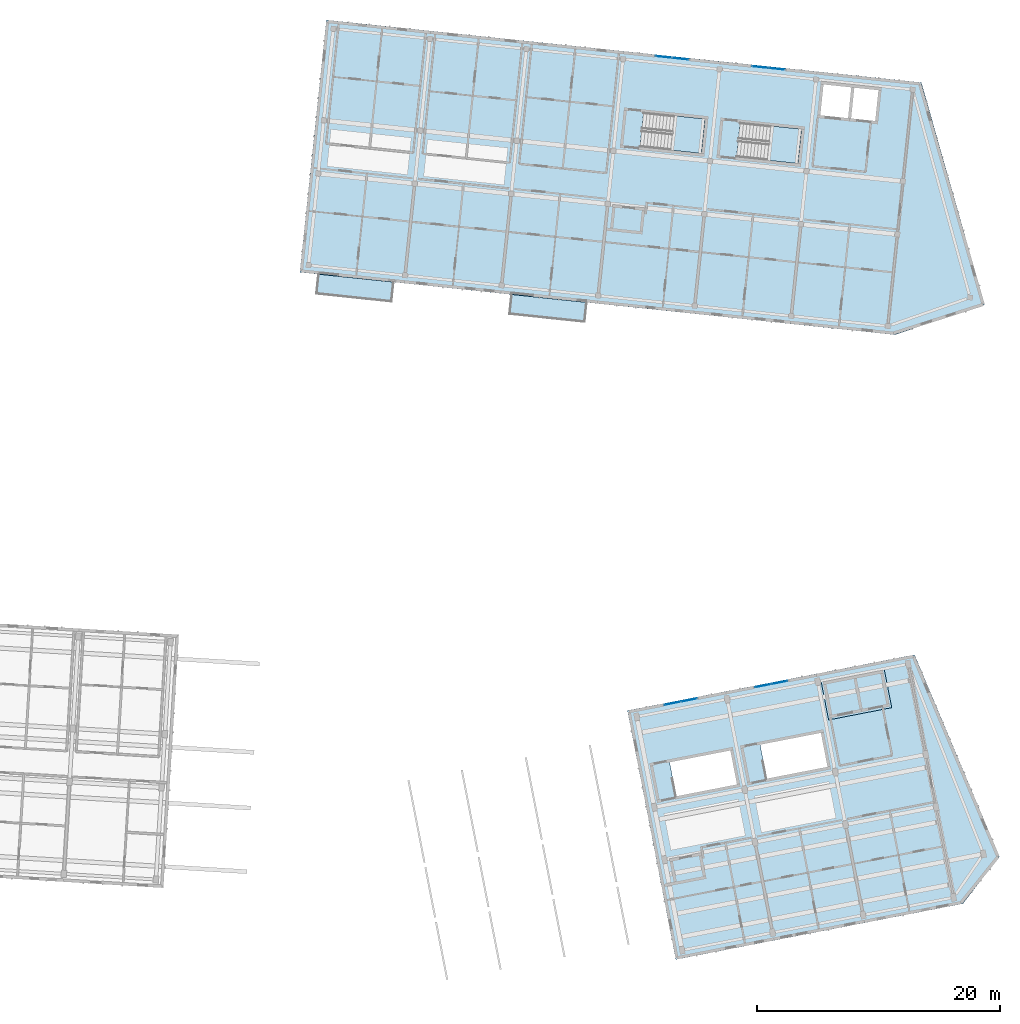
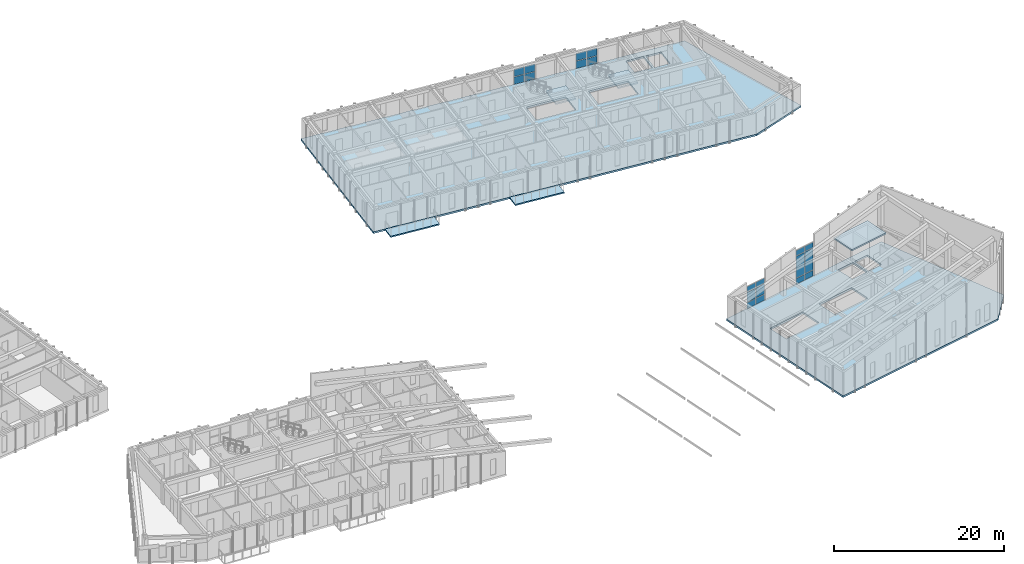
# One storey, part 18 of 56: 20 plates, 7 slabs, 6 elements without a shape of their own.
"""IFC4 building model written with IfcOpenShell, lengths in metres."""

from ifc_helpers import new_model, si_unit, direction, frame, origin, origin_2d, place, context, subcontext, project, spatial, polyline, rectangle, outline, extrude, material, layer, layer_set, type_object, element, aggregate, save


model = new_model("IFC4")

# Units and contexts
model_context = context("Model", 3, precision=1e-05, world=origin(), true_north=direction((0.0, 1.0)))
body_context = subcontext(model_context, "Body", "Model", "MODEL_VIEW")
ifc_project = project(units=[si_unit("LENGTHUNIT", "METRE"), si_unit("AREAUNIT", "SQUARE_METRE"), si_unit("VOLUMEUNIT", "CUBIC_METRE"), si_unit("PLANEANGLEUNIT", "RADIAN"), si_unit("MASSUNIT", "GRAM", prefix="KILO")], contexts=[model_context])

# Site, building, storey
site_placement = place(None, origin())
site = spatial("IfcSite", under=ifc_project, at=site_placement, CompositionType="ELEMENT")
building_placement = place(site_placement, origin())
building = spatial("IfcBuilding", under=site, at=building_placement, Name="Kestramere Prow Commons", CompositionType="ELEMENT")
storey_placement = place(building_placement, frame((0.0, 0.0, 27.89990234375)))
storey = spatial("IfcBuildingStorey", under=building, at=storey_placement, Name="L08", CompositionType="ELEMENT", Elevation=27.89990234375)

# Curtain wall, plates
ifc_material_1 = material(Name="Anodised Aluminium and Low-E Glass", Category="aluminium")
curtain_wall_type_1 = type_object("IfcCurtainWallType", Name="CW-03 Glazed Curtain Wall 2830x2320", PredefinedType="USERDEFINED", material=ifc_material_1)
curtain_wall_1_placement = place(storey_placement, origin())
curtain_wall_1 = element("IfcCurtainWall", 1, at=curtain_wall_1_placement, inside=storey, type_object=curtain_wall_type_1, Name="Block B L08 Stairwell Vertical Glazing 4", ObjectType="GLAZED CURTAIN WALL", PredefinedType="USERDEFINED")
ifc_material_2 = material(Name="Low-E Laminated Double Glazing", Category="glass")
ifc_layer_1 = layer(ifc_material_2, 0.028076171875)
ifc_layer_set_1 = layer_set([ifc_layer_1], Name="Low-E Laminated Double Glazing")
plate_type = type_object("IfcPlateType", Name="CW-PNL-28", PredefinedType="CURTAIN_PANEL", material=ifc_layer_set_1)
plate_1_placement = place(storey_placement, frame((139.2626953125, 111.960205078125, 0.065185546875), z_axis=(0.0, 0.0, 1.0), x_axis=(0.994521879016, -0.104528618845, 0.0)))
plate_1 = element("IfcPlate", 2, at=plate_1_placement, type_object=plate_type, Name="CW-03 panel 1.1", PredefinedType="CURTAIN_PANEL", context=body_context, shape_type="SweptSolid", body=[
    extrude(rectangle(XDim=1.3173828125, YDim=0.028076171875, at=origin_2d()), origin(), (0.0, 0.0, 1.0), 1.0625),
])
plate_2_placement = place(storey_placement, frame((139.2626953125, 111.960205078125, 1.192626953125), z_axis=(0.0, 0.0, 1.0), x_axis=(0.994521879016, -0.104528618845, 0.0)))
plate_2 = element("IfcPlate", 3, at=plate_2_placement, type_object=plate_type, Name="CW-03 panel 1.2", PredefinedType="CURTAIN_PANEL", context=body_context, shape_type="SweptSolid", body=[
    extrude(rectangle(XDim=1.3173828125, YDim=0.028076171875, at=origin_2d()), origin(), (0.0, 0.0, 1.0), 1.0625),
])
plate_3_placement = place(storey_placement, frame((140.6376953125, 111.815673828125, 0.065185546875), z_axis=(0.0, 0.0, 1.0), x_axis=(0.994521879016, -0.104528618845, 0.0)))
plate_3 = element("IfcPlate", 4, at=plate_3_placement, type_object=plate_type, Name="CW-03 panel 2.1", PredefinedType="CURTAIN_PANEL", context=body_context, shape_type="SweptSolid", body=[
    extrude(rectangle(XDim=1.3173828125, YDim=0.028076171875, at=origin_2d()), origin(), (0.0, 0.0, 1.0), 1.0625),
])
plate_4_placement = place(storey_placement, frame((140.6376953125, 111.815673828125, 1.192626953125), z_axis=(0.0, 0.0, 1.0), x_axis=(0.994521879016, -0.104528618845, 0.0)))
plate_4 = element("IfcPlate", 5, at=plate_4_placement, type_object=plate_type, Name="CW-03 panel 2.2", PredefinedType="CURTAIN_PANEL", context=body_context, shape_type="SweptSolid", body=[
    extrude(rectangle(XDim=1.3173828125, YDim=0.028076171875, at=origin_2d()), origin(), (0.0, 0.0, 1.0), 1.0625),
])
aggregate(curtain_wall_1, [plate_1, plate_2, plate_3, plate_4])

curtain_wall_2_placement = place(storey_placement, origin())
curtain_wall_2 = element("IfcCurtainWall", 6, at=curtain_wall_2_placement, inside=storey, type_object=curtain_wall_type_1, Name="Block B L08 Stairwell Vertical Glazing 5", ObjectType="GLAZED CURTAIN WALL", PredefinedType="USERDEFINED")
plate_5_placement = place(storey_placement, frame((147.218994140625, 111.1240234375, 0.065185546875), z_axis=(0.0, 0.0, 1.0), x_axis=(0.99452191575, -0.104528269348, 0.0)))
plate_5 = element("IfcPlate", 7, at=plate_5_placement, type_object=plate_type, Name="CW-03 panel 1.1", PredefinedType="CURTAIN_PANEL", context=body_context, shape_type="SweptSolid", body=[
    extrude(rectangle(XDim=1.3173828125, YDim=0.028076171875, at=origin_2d()), origin(), (0.0, 0.0, 1.0), 1.0625),
])
plate_6_placement = place(storey_placement, frame((147.218994140625, 111.1240234375, 1.192626953125), z_axis=(0.0, 0.0, 1.0), x_axis=(0.99452191575, -0.104528269348, 0.0)))
plate_6 = element("IfcPlate", 8, at=plate_6_placement, type_object=plate_type, Name="CW-03 panel 1.2", PredefinedType="CURTAIN_PANEL", context=body_context, shape_type="SweptSolid", body=[
    extrude(rectangle(XDim=1.3173828125, YDim=0.028076171875, at=origin_2d()), origin(), (0.0, 0.0, 1.0), 1.0625),
])
plate_7_placement = place(storey_placement, frame((148.593994140625, 110.9794921875, 0.065185546875), z_axis=(0.0, 0.0, 1.0), x_axis=(0.99452191575, -0.104528269348, 0.0)))
plate_7 = element("IfcPlate", 9, at=plate_7_placement, type_object=plate_type, Name="CW-03 panel 2.1", PredefinedType="CURTAIN_PANEL", context=body_context, shape_type="SweptSolid", body=[
    extrude(rectangle(XDim=1.3173828125, YDim=0.028076171875, at=origin_2d()), origin(), (0.0, 0.0, 1.0), 1.0625),
])
plate_8_placement = place(storey_placement, frame((148.593994140625, 110.9794921875, 1.192626953125), z_axis=(0.0, 0.0, 1.0), x_axis=(0.99452191575, -0.104528269348, 0.0)))
plate_8 = element("IfcPlate", 10, at=plate_8_placement, type_object=plate_type, Name="CW-03 panel 2.2", PredefinedType="CURTAIN_PANEL", context=body_context, shape_type="SweptSolid", body=[
    extrude(rectangle(XDim=1.3173828125, YDim=0.028076171875, at=origin_2d()), origin(), (0.0, 0.0, 1.0), 1.0625),
])
aggregate(curtain_wall_2, [plate_5, plate_6, plate_7, plate_8])

curtain_wall_type_2 = type_object("IfcCurtainWallType", Name="CW-09 Glazed Curtain Wall 2830x3300", PredefinedType="USERDEFINED", material=ifc_material_1)
curtain_wall_3_placement = place(storey_placement, origin())
curtain_wall_3 = element("IfcCurtainWall", 11, at=curtain_wall_3_placement, inside=storey, type_object=curtain_wall_type_2, Name="Block D L08 Stairwell Vertical Glazing 4", ObjectType="GLAZED CURTAIN WALL", PredefinedType="USERDEFINED")
plate_9_placement = place(storey_placement, frame((139.99267578125, 58.698974609375, 0.065185546875), z_axis=(0.0, 0.0, 1.0), x_axis=(0.981627214599, 0.190808835118, 0.0)))
plate_9 = element("IfcPlate", 12, at=plate_9_placement, type_object=plate_type, Name="CW-09 panel 1.1", PredefinedType="CURTAIN_PANEL", context=body_context, shape_type="SweptSolid", body=[
    extrude(rectangle(XDim=1.3173828125, YDim=0.028076171875, at=origin_2d()), origin(), (0.0, 0.0, 1.0), 0.8525390625),
])
plate_10_placement = place(storey_placement, frame((139.99267578125, 58.698974609375, 0.982666015625), z_axis=(0.0, 0.0, 1.0), x_axis=(0.981627214599, 0.190808835118, 0.0)))
plate_10 = element("IfcPlate", 13, at=plate_10_placement, type_object=plate_type, Name="CW-09 panel 1.2", PredefinedType="CURTAIN_PANEL", context=body_context, shape_type="SweptSolid", body=[
    extrude(rectangle(XDim=1.3173828125, YDim=0.028076171875, at=origin_2d()), origin(), (0.0, 0.0, 1.0), 1.43994140625),
])
plate_11_placement = place(storey_placement, frame((139.99267578125, 58.698974609375, 2.487548828125), z_axis=(0.0, 0.0, 1.0), x_axis=(0.981627214599, 0.190808835118, 0.0)))
plate_11 = element("IfcPlate", 14, at=plate_11_placement, type_object=plate_type, Name="CW-09 panel 1.3", PredefinedType="CURTAIN_PANEL", context=body_context, shape_type="SweptSolid", body=[
    extrude(rectangle(XDim=1.3173828125, YDim=0.028076171875, at=origin_2d()), origin(), (0.0, 0.0, 1.0), 0.75244140625),
])
plate_12_placement = place(storey_placement, frame((141.349853515625, 58.962646484375, 0.065185546875), z_axis=(0.0, 0.0, 1.0), x_axis=(0.981627214599, 0.190808835118, 0.0)))
plate_12 = element("IfcPlate", 15, at=plate_12_placement, type_object=plate_type, Name="CW-09 panel 2.1", PredefinedType="CURTAIN_PANEL", context=body_context, shape_type="SweptSolid", body=[
    extrude(rectangle(XDim=1.3173828125, YDim=0.028076171875, at=origin_2d()), origin(), (0.0, 0.0, 1.0), 0.8525390625),
])
plate_13_placement = place(storey_placement, frame((141.349853515625, 58.962646484375, 0.982666015625), z_axis=(0.0, 0.0, 1.0), x_axis=(0.981627214599, 0.190808835118, 0.0)))
plate_13 = element("IfcPlate", 16, at=plate_13_placement, type_object=plate_type, Name="CW-09 panel 2.2", PredefinedType="CURTAIN_PANEL", context=body_context, shape_type="SweptSolid", body=[
    extrude(rectangle(XDim=1.3173828125, YDim=0.028076171875, at=origin_2d()), origin(), (0.0, 0.0, 1.0), 1.43994140625),
])
plate_14_placement = place(storey_placement, frame((141.349853515625, 58.962646484375, 2.487548828125), z_axis=(0.0, 0.0, 1.0), x_axis=(0.981627214599, 0.190808835118, 0.0)))
plate_14 = element("IfcPlate", 17, at=plate_14_placement, type_object=plate_type, Name="CW-09 panel 2.3", PredefinedType="CURTAIN_PANEL", context=body_context, shape_type="SweptSolid", body=[
    extrude(rectangle(XDim=1.3173828125, YDim=0.028076171875, at=origin_2d()), origin(), (0.0, 0.0, 1.0), 0.75244140625),
])
aggregate(curtain_wall_3, [plate_9, plate_10, plate_11, plate_12, plate_13, plate_14])

curtain_wall_type_3 = type_object("IfcCurtainWallType", Name="CW-10 Glazed Curtain Wall 2830x4990", PredefinedType="USERDEFINED", material=ifc_material_1)
curtain_wall_4_placement = place(storey_placement, origin())
curtain_wall_4 = element("IfcCurtainWall", 18, at=curtain_wall_4_placement, inside=storey, type_object=curtain_wall_type_3, Name="Block D L08 Stairwell Vertical Glazing 5", ObjectType="GLAZED CURTAIN WALL", PredefinedType="USERDEFINED")
plate_15_placement = place(storey_placement, frame((147.45556640625, 60.1494140625, 0.0751953125), z_axis=(0.0, 0.0, 1.0), x_axis=(0.981627214599, 0.190808835118, 0.0)))
plate_15 = element("IfcPlate", 19, at=plate_15_placement, type_object=plate_type, Name="CW-10 panel 1.1", PredefinedType="CURTAIN_PANEL", context=body_context, shape_type="SweptSolid", body=[
    extrude(rectangle(XDim=1.302490234375, YDim=0.028076171875, at=origin_2d()), origin(), (0.0, 0.0, 1.0), 0.83740234375),
])
plate_16_placement = place(storey_placement, frame((147.45556640625, 60.1494140625, 0.98779296875), z_axis=(0.0, 0.0, 1.0), x_axis=(0.981627214599, 0.190808835118, 0.0)))
plate_16 = element("IfcPlate", 20, at=plate_16_placement, type_object=plate_type, Name="CW-10 panel 1.2", PredefinedType="CURTAIN_PANEL", context=body_context, shape_type="SweptSolid", body=[
    extrude(rectangle(XDim=1.302490234375, YDim=0.028076171875, at=origin_2d()), origin(), (0.0, 0.0, 1.0), 3.112060546875),
])
plate_17_placement = place(storey_placement, frame((147.45556640625, 60.1494140625, 4.1748046875), z_axis=(0.0, 0.0, 1.0), x_axis=(0.981627214599, 0.190808835118, 0.0)))
plate_17 = element("IfcPlate", 21, at=plate_17_placement, type_object=plate_type, Name="CW-10 panel 1.3", PredefinedType="CURTAIN_PANEL", context=body_context, shape_type="SweptSolid", body=[
    extrude(rectangle(XDim=1.302490234375, YDim=0.028076171875, at=origin_2d()), origin(), (0.0, 0.0, 1.0), 0.737060546875),
])
plate_18_placement = place(storey_placement, frame((148.8076171875, 60.412353515625, 0.0751953125), z_axis=(0.0, 0.0, 1.0), x_axis=(0.981627214599, 0.190808835118, 0.0)))
plate_18 = element("IfcPlate", 22, at=plate_18_placement, type_object=plate_type, Name="CW-10 panel 2.1", PredefinedType="CURTAIN_PANEL", context=body_context, shape_type="SweptSolid", body=[
    extrude(rectangle(XDim=1.302490234375, YDim=0.028076171875, at=origin_2d()), origin(), (0.0, 0.0, 1.0), 0.83740234375),
])
plate_19_placement = place(storey_placement, frame((148.8076171875, 60.412353515625, 0.98779296875), z_axis=(0.0, 0.0, 1.0), x_axis=(0.981627214599, 0.190808835118, 0.0)))
plate_19 = element("IfcPlate", 23, at=plate_19_placement, type_object=plate_type, Name="CW-10 panel 2.2", PredefinedType="CURTAIN_PANEL", context=body_context, shape_type="SweptSolid", body=[
    extrude(rectangle(XDim=1.302490234375, YDim=0.028076171875, at=origin_2d()), origin(), (0.0, 0.0, 1.0), 3.112060546875),
])
plate_20_placement = place(storey_placement, frame((148.8076171875, 60.412353515625, 4.1748046875), z_axis=(0.0, 0.0, 1.0), x_axis=(0.981627214599, 0.190808835118, 0.0)))
plate_20 = element("IfcPlate", 24, at=plate_20_placement, type_object=plate_type, Name="CW-10 panel 2.3", PredefinedType="CURTAIN_PANEL", context=body_context, shape_type="SweptSolid", body=[
    extrude(rectangle(XDim=1.302490234375, YDim=0.028076171875, at=origin_2d()), origin(), (0.0, 0.0, 1.0), 0.737060546875),
])
aggregate(curtain_wall_4, [plate_15, plate_16, plate_17, plate_18, plate_19, plate_20])

# Slabs
ifc_material_3 = material(Name="Precast concrete C40/50", Category="concrete")
ifc_layer_2 = layer(ifc_material_3, 0.179931640625)
ifc_layer_set_2 = layer_set([ifc_layer_2], Name="Precast concrete C40/50")
slab_type_1 = type_object("IfcSlabType", Name="SL-BALC-180", PredefinedType="FLOOR", material=ifc_layer_set_2)
slab_1_placement = place(storey_placement, frame((0.0, 0.0, -0.179931640625)))
element("IfcSlab", 25, at=slab_1_placement, inside=storey, type_object=slab_type_1, Name="Block B L08 Apartment Balcony Slab 1", PredefinedType="FLOOR", context=body_context, shape_type="SweptSolid", body=[
    extrude(outline(polyline([(110.60498046875, 92.423828125), (116.870361328125, 91.76513671875), (117.04296875, 93.40625), (110.77734375, 94.064697265625), (110.60498046875, 92.423828125)])), origin(), (0.0, 0.0, 1.0), 0.179931640625),
])
slab_2_placement = place(storey_placement, frame((0.0, 0.0, -0.179931640625)))
element("IfcSlab", 26, at=slab_2_placement, inside=storey, type_object=slab_type_1, Name="Block B L08 Apartment Balcony Slab 3", PredefinedType="FLOOR", context=body_context, shape_type="SweptSolid", body=[
    extrude(outline(polyline([(126.517333984375, 90.751220703125), (132.78271484375, 90.0927734375), (132.955322265625, 91.733642578125), (126.689697265625, 92.392333984375), (126.517333984375, 90.751220703125)])), origin(), (0.0, 0.0, 1.0), 0.179931640625),
])
ifc_layer_3 = layer(ifc_material_3, 0.25)
ifc_layer_set_3 = layer_set([ifc_layer_3], Name="Precast concrete C40/50")
slab_type_2 = type_object("IfcSlabType", Name="SL-HC-250", PredefinedType="FLOOR", material=ifc_layer_set_3)
slab_3_placement = place(storey_placement, frame((0.0, 0.0, -0.25)))
element("IfcSlab", 27, at=slab_3_placement, inside=storey, type_object=slab_type_2, Name="Block B L08 Hollowcore Floor Slab", PredefinedType="FLOOR", context=body_context, shape_type="SweptSolid", body=[
    extrude(outline(polyline([(109.28564453125, 94.221435546875), (158.3154296875, 89.068359375), (165.71630859375, 91.558349609375), (160.500244140625, 109.853759765625), (111.47021484375, 115.007080078125), (109.28564453125, 94.221435546875)]), holes=[polyline([(152.1728515625, 107.159423828125), (154.46044921875, 106.9189453125), (154.726806640625, 109.455078125), (152.439453125, 109.695556640625), (152.1728515625, 107.159423828125)]), polyline([(154.708984375, 106.892822265625), (156.697998046875, 106.683837890625), (156.964599609375, 109.219970703125), (154.9755859375, 109.428955078125), (154.708984375, 106.892822265625)]), polyline([(137.318603515625, 104.5478515625), (142.390625, 104.0146484375), (142.6884765625, 106.84912109375), (137.616455078125, 107.38232421875), (137.318603515625, 104.5478515625)]), polyline([(145.274658203125, 103.711669921875), (150.346923828125, 103.178466796875), (150.644775390625, 106.012939453125), (145.57275390625, 106.5458984375), (145.274658203125, 103.711669921875)])]), origin(), (0.0, 0.0, 1.0), 0.25),
])
slab_4_placement = place(storey_placement, frame((0.0, 0.0, 4.35009765625)))
element("IfcSlab", 28, at=slab_4_placement, inside=storey, type_object=slab_type_2, Name="Block D Internal Lift Shaft Cap Slab", PredefinedType="FLOOR", context=body_context, shape_type="SweptSolid", body=[
    extrude(outline(polyline([(152.85693359375, 57.328369140625), (158.059326171875, 58.339599609375), (157.4296875, 61.578857421875), (152.22705078125, 60.567626953125), (152.85693359375, 57.328369140625)])), origin(), (0.0, 0.0, 1.0), 0.219970703125),
])
slab_5_placement = place(storey_placement, frame((0.0, 0.0, -0.25)))
element("IfcSlab", 29, at=slab_5_placement, inside=storey, type_object=slab_type_2, Name="Block D L08 Hollowcore Floor Slab", PredefinedType="FLOOR", context=body_context, shape_type="SweptSolid", body=[
    extrude(outline(polyline([(140.26708984375, 37.58837890625), (163.92431640625, 42.186767578125), (166.936279296875, 46.083251953125), (159.936279296875, 62.702880859375), (136.279052734375, 58.104248046875), (140.26708984375, 37.58837890625)]), holes=[polyline([(153.1533203125, 57.767822265625), (155.4111328125, 58.206787109375), (154.924560546875, 60.7099609375), (152.666748046875, 60.27099609375), (153.1533203125, 57.767822265625)]), polyline([(155.656494140625, 58.25439453125), (157.619873046875, 58.63623046875), (157.13330078125, 61.13916015625), (155.169921875, 60.757568359375), (155.656494140625, 58.25439453125)]), polyline([(140.300537109375, 51.0419921875), (145.306884765625, 52.01513671875), (144.76318359375, 54.812744140625), (139.7568359375, 53.839599609375), (140.300537109375, 51.0419921875)]), polyline([(147.760986328125, 52.4921875), (152.767333984375, 53.46533203125), (152.223388671875, 56.262939453125), (147.21728515625, 55.289794921875), (147.760986328125, 52.4921875)])]), origin(), (0.0, 0.0, 1.0), 0.25),
])

# Stair, slab
ifc_material_4 = material(Name="Concrete C40/50", Category="concrete")
stair_type = type_object("IfcStairType", Name="ST-DOG-1350", PredefinedType="HALF_TURN_STAIR", material=ifc_material_4)
stair_1_placement = place(storey_placement, origin())
stair_1 = element("IfcStair", 30, at=stair_1_placement, inside=storey, type_object=stair_type, Name="L08 Block B Exit Stair 1", PredefinedType="HALF_TURN_STAIR")
ifc_layer_4 = layer(ifc_material_4, 0.199951171875)
ifc_layer_set_4 = layer_set([ifc_layer_4], Name="Concrete C40/50")
slab_type_3 = type_object("IfcSlabType", Name="SL-ST-LAND-200", PredefinedType="LANDING", material=ifc_layer_set_4)
slab_6_placement = place(storey_placement, frame((0.0, 0.0, 1.425048828125)))
slab_6 = element("IfcSlab", 31, at=slab_6_placement, type_object=slab_type_3, Name="ST-B1 landing 1", PredefinedType="LANDING", context=body_context, shape_type="SweptSolid", body=[
    extrude(outline(polyline([(139.82470703125, 104.284423828125), (142.390625, 104.0146484375), (142.6884765625, 106.84912109375), (140.122802734375, 107.118896484375), (139.82470703125, 104.284423828125)])), origin(), (0.0, 0.0, 1.0), 0.199951171875),
])
aggregate(stair_1, [slab_6])

stair_2_placement = place(storey_placement, origin())
stair_2 = element("IfcStair", 32, at=stair_2_placement, inside=storey, type_object=stair_type, Name="L08 Block B Exit Stair 2", PredefinedType="HALF_TURN_STAIR")
slab_7_placement = place(storey_placement, frame((0.0, 0.0, 1.425048828125)))
slab_7 = element("IfcSlab", 33, at=slab_7_placement, type_object=slab_type_3, Name="ST-B2 landing 1", PredefinedType="LANDING", context=body_context, shape_type="SweptSolid", body=[
    extrude(outline(polyline([(147.781005859375, 103.4482421875), (150.346923828125, 103.178466796875), (150.644775390625, 106.012939453125), (148.078857421875, 106.282470703125), (147.781005859375, 103.4482421875)])), origin(), (0.0, 0.0, 1.0), 0.199951171875),
])
aggregate(stair_2, [slab_7])

save(model, "model.ifc")
